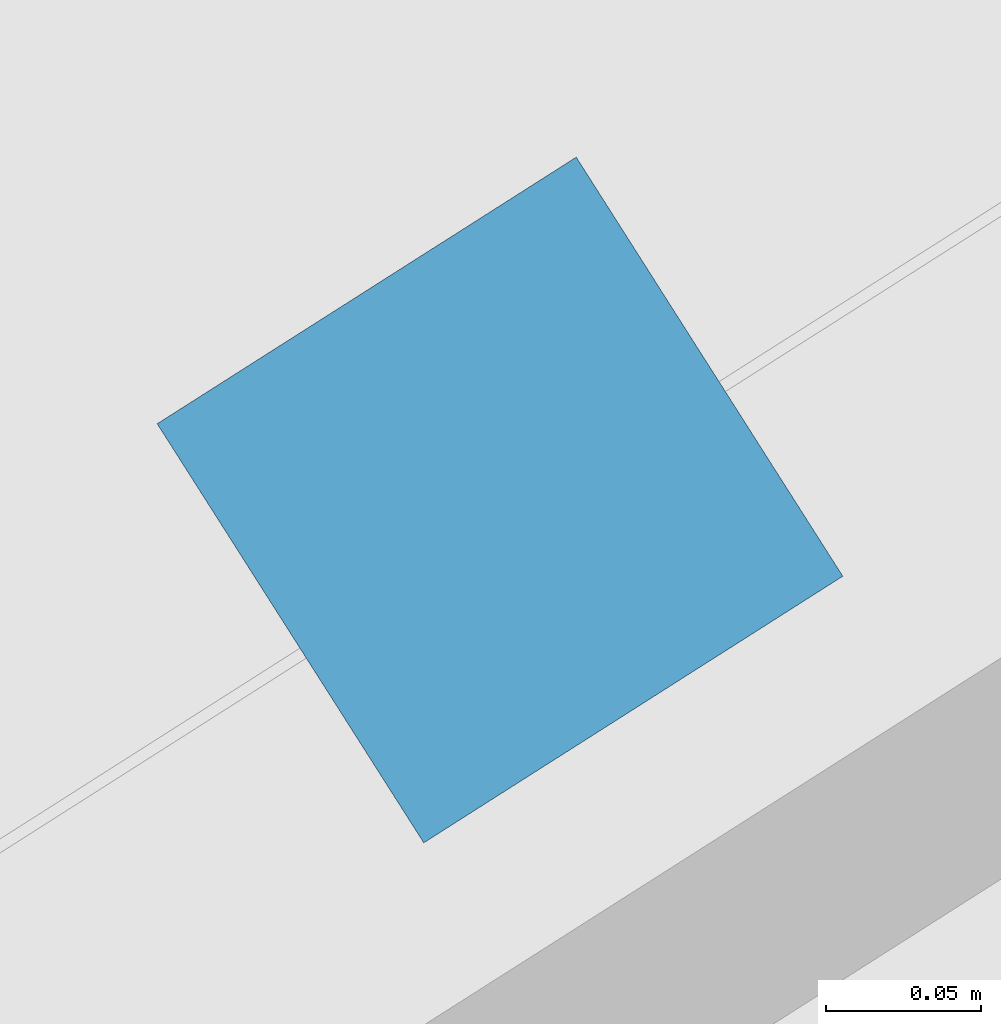
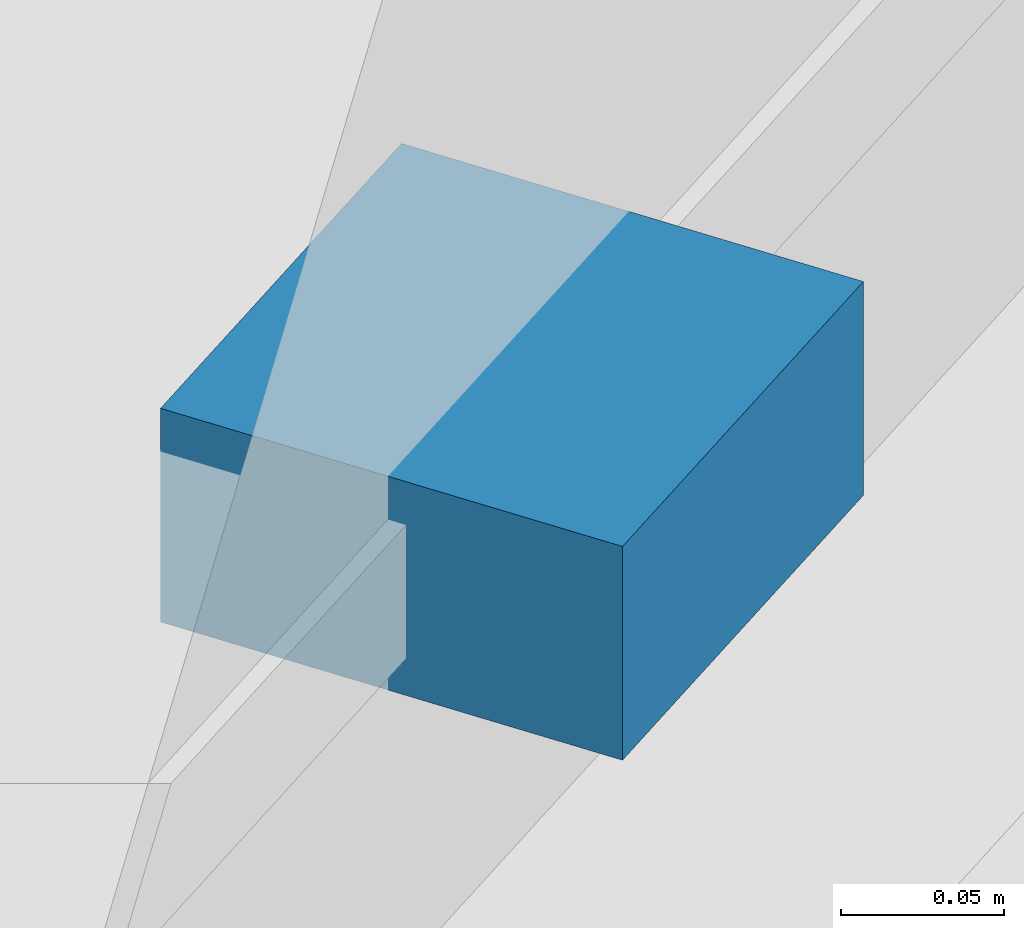
# One storey, part 54 of 64: 1 discrete accessory.
"""IFC4 building model written with IfcOpenShell, lengths in metres."""

from ifc_helpers import new_model, si_unit, direction, frame, origin, origin_2d, place, context, subcontext, project, spatial, rectangle, extrude, material, layer, layer_set, type_object, element, save


model = new_model("IFC4")

# Units and contexts
model_context = context("Model", 3, precision=1e-05, world=origin(), true_north=direction((0.0, 1.0)))
body_context = subcontext(model_context, "Body", "Model", "MODEL_VIEW")
ifc_project = project(units=[si_unit("LENGTHUNIT", "METRE"), si_unit("AREAUNIT", "SQUARE_METRE"), si_unit("VOLUMEUNIT", "CUBIC_METRE"), si_unit("PLANEANGLEUNIT", "RADIAN"), si_unit("MASSUNIT", "GRAM", prefix="KILO")], contexts=[model_context])

# Site, building, storey
site_placement = place(None, origin())
site = spatial("IfcSite", under=ifc_project, at=site_placement, CompositionType="ELEMENT")
building_placement = place(site_placement, origin())
building = spatial("IfcBuilding", under=site, at=building_placement, Name="Qaldarim Faculty of Natural and Applied Sciences", CompositionType="ELEMENT")
storey_placement = place(building_placement, origin())
storey = spatial("IfcBuildingStorey", under=building, at=storey_placement, Name="L00", CompositionType="ELEMENT", Elevation=0.0)

# Discrete accessory
ifc_material = material(Name="Architectural stainless steel 316", Category="steel")
ifc_layer = layer(ifc_material, 0.080078125)
ifc_layer_set = layer_set([ifc_layer], Name="Architectural stainless steel 316")
discrete_accessory_type = type_object("IfcDiscreteAccessoryType", Name="FacadeBracket-SS120", PredefinedType="BRACKET", material=ifc_layer_set)
discrete_accessory_placement = place(storey_placement, frame((161.614990234375, 56.8349609375, 2.659912109375), z_axis=(0.0, 0.0, 1.0), x_axis=(0.843775713382, 0.536695952571, 0.0)))
element("IfcDiscreteAccessory", 1, at=discrete_accessory_placement, inside=storey, type_object=discrete_accessory_type, Name="Oblique solar louvre bracket SHD-OBL-NW-L00-2", PredefinedType="BRACKET", context=body_context, shape_type="SweptSolid", body=[
    extrude(rectangle(XDim=0.159912109375, YDim=0.159912109375, at=origin_2d()), origin(), (0.0, 0.0, 1.0), 0.080078125),
])

save(model, "model.ifc")
